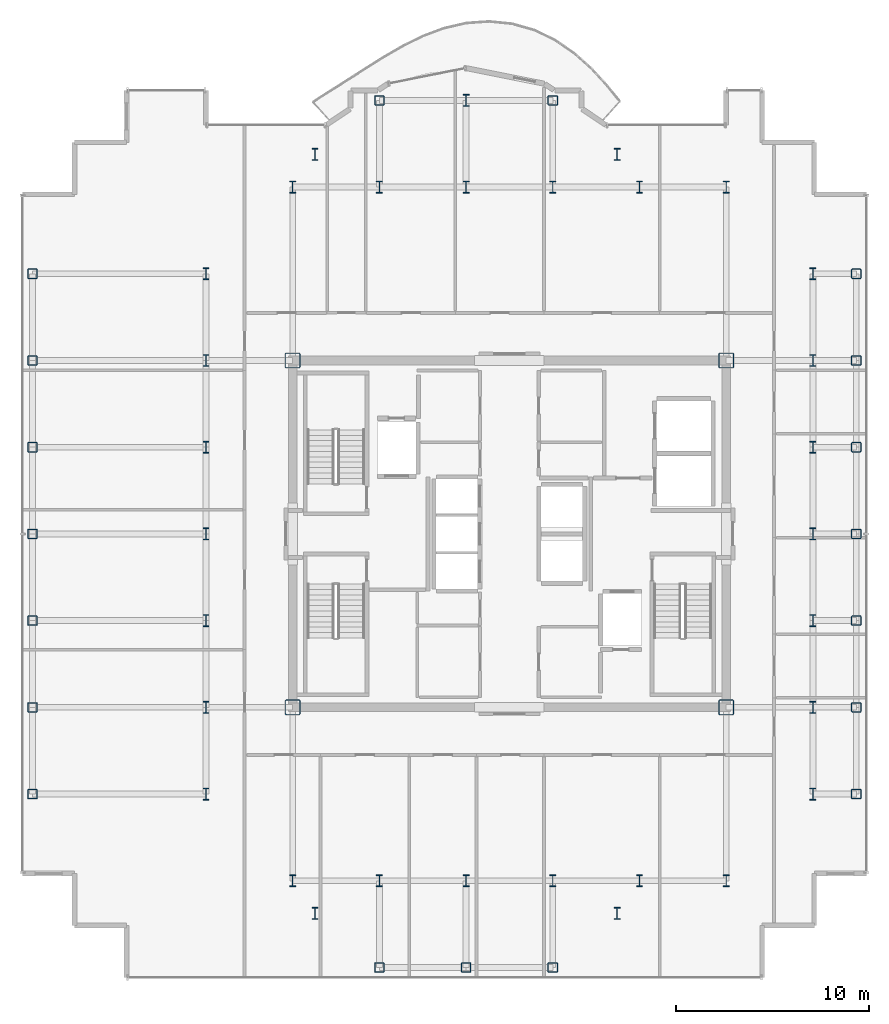
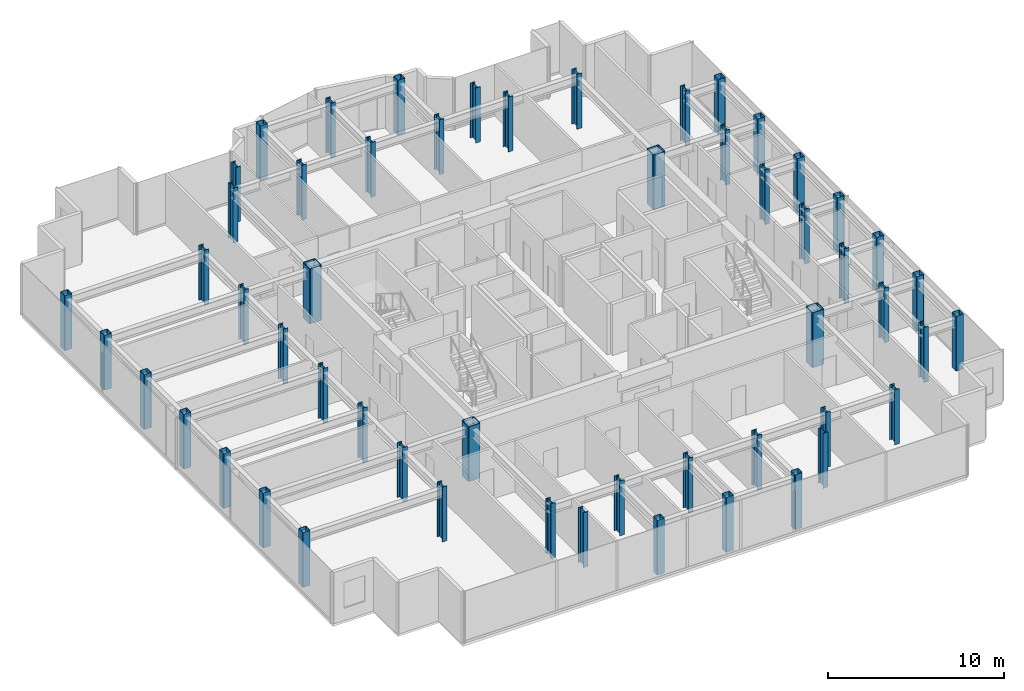
# One storey, part 1 of 18: 54 columns.
"""IFC4 building model written with IfcOpenShell, lengths in metres."""

import ifcopenshell
import ifcopenshell.guid

model = None  # the IFC model being written
_history = None  # IfcOwnerHistory: only IFC2X3 demands one
_inside = {}  # id of a spatial element -> (the spatial element, [elements in it])
_under = {}  # id of a project, library or spatial element -> (it, [spatial elements below it])
_declared = {}  # id of a project -> (the project, [libraries it declares])
_typed = {}  # id of a type object -> (the type object, [elements of that type])
_made_of = {}  # id of a material, layer set ... -> (it, [elements and type objects made of it])


def new_model(schema):
    """Start an empty IFC model of exactly this schema.

    Asked for "IFC4X3", IfcOpenShell would pick the latest addendum, in which some entities
    have other attributes; the version numbers below select the first issue.
    IFC2X3 requires an IfcOwnerHistory on every rooted entity: one is made here for all.
    """
    global model, _history
    if schema == "IFC4X3":
        model = ifcopenshell.file(schema_version=(4, 3, 0, 0))
    else:
        model = ifcopenshell.file(schema=schema)
    _inside.clear()
    _under.clear()
    _declared.clear()
    _typed.clear()
    _made_of.clear()
    _history = None
    if model.schema == "IFC2X3":
        org = make("IfcOrganization", Name="unknown")
        user = make(
            "IfcPersonAndOrganization",
            ThePerson=make("IfcPerson", FamilyName="unknown"),
            TheOrganization=org,
        )
        app = make(
            "IfcApplication",
            ApplicationDeveloper=org,
            Version="unknown",
            ApplicationFullName="unknown",
            ApplicationIdentifier="unknown",
        )
        _history = make(
            "IfcOwnerHistory",
            OwningUser=user,
            OwningApplication=app,
            ChangeAction="ADDED",
            CreationDate=0,
        )
    return model


def make(cls, **values):
    """One entity of the class cls with the attributes given. An attribute that is None is left unset."""
    return model.create_entity(
        cls, **{name: value for name, value in values.items() if value is not None}
    )


def rooted(cls, **values):
    """An entity with a GlobalId (a new one), such as an element, a storey or a relation."""
    return make(cls, GlobalId=ifcopenshell.guid.new(), OwnerHistory=_history, **values)


def si_unit(unit_type, name, prefix=None):
    """IfcSIUnit, for example si_unit("LENGTHUNIT", "METRE", prefix="MILLI")."""
    return make("IfcSIUnit", UnitType=unit_type, Prefix=prefix, Name=name)


def assignment(units):
    """IfcUnitAssignment: the units of a project."""
    return None if units is None else make("IfcUnitAssignment", Units=units)


def point(xyz):
    """IfcCartesianPoint."""
    return None if xyz is None else make("IfcCartesianPoint", Coordinates=xyz)


def direction(xyz):
    """IfcDirection."""
    return None if xyz is None else make("IfcDirection", DirectionRatios=xyz)


def frame(location, z_axis=None, x_axis=None):
    """IfcAxis2Placement3D, a coordinate frame: its origin and axes. An axis left out is left unset."""
    return make(
        "IfcAxis2Placement3D",
        Location=point(location),
        Axis=direction(z_axis),
        RefDirection=direction(x_axis),
    )


def frame_2d(location, x_axis=None):
    """IfcAxis2Placement2D, a coordinate frame in the plane: its origin and x axis."""
    return make(
        "IfcAxis2Placement2D", Location=point(location), RefDirection=direction(x_axis)
    )


def origin():
    """The frame at (0, 0, 0) with its axes left unset."""
    return frame((0.0, 0.0, 0.0))


def origin_2d():
    """The frame at (0, 0) in the plane with its x axis left unset."""
    return frame_2d((0.0, 0.0))


def place(relative_to, where):
    """IfcLocalPlacement: puts the frame where relative to a parent placement (None: the world)."""
    return make(
        "IfcLocalPlacement", PlacementRelTo=relative_to, RelativePlacement=where
    )


def context(
    kind, dimensions, precision=None, world=None, true_north=None, identifier=None
):
    """IfcGeometricRepresentationContext, for example the 3D "Model" context."""
    return make(
        "IfcGeometricRepresentationContext",
        ContextIdentifier=identifier,
        ContextType=kind,
        CoordinateSpaceDimension=dimensions,
        Precision=precision,
        WorldCoordinateSystem=world,
        TrueNorth=true_north,
    )


def subcontext(parent, identifier, kind, view, scale=None):
    """IfcGeometricRepresentationSubContext, for example "Body" below "Model"."""
    return make(
        "IfcGeometricRepresentationSubContext",
        ContextIdentifier=identifier,
        ContextType=kind,
        ParentContext=parent,
        TargetScale=scale,
        TargetView=view,
    )


def project(units=None, contexts=None):
    """IfcProject with its units and contexts."""
    return rooted(
        "IfcProject",
        Name="project",
        RepresentationContexts=contexts,
        UnitsInContext=assignment(units),
    )


def spatial(cls, under=None, at=None, **own):
    """A site, building, storey or space (cls), placed at a placement, below another one or the project."""
    s = rooted(cls, ObjectPlacement=at, **own)
    if under is not None:
        _under.setdefault(under.id(), (under, []))[1].append(s)
    return s


def profile(cls, at=None, kind="AREA", **sizes):
    """A parametric profile (cls). Its sizes go by their IFC names, for example OverallWidth=200.0."""
    return make(cls, ProfileType=kind, Position=at, **sizes)


def hollow_rectangle(**sizes):
    """IfcRectangleHollowProfileDef."""
    return profile("IfcRectangleHollowProfileDef", **sizes)


def i_section(**sizes):
    """IfcIShapeProfileDef."""
    return profile("IfcIShapeProfileDef", **sizes)


def extrude(swept, where, along, depth):
    """IfcExtrudedAreaSolid: the profile swept, set in the frame where, extruded along a direction by depth."""
    return make(
        "IfcExtrudedAreaSolid",
        SweptArea=swept,
        Position=where,
        ExtrudedDirection=direction(along),
        Depth=depth,
    )


def shape(context_of_items, identifier, shape_type, items):
    """IfcShapeRepresentation: the items that make up one representation, for example the "Body"."""
    return make(
        "IfcShapeRepresentation",
        ContextOfItems=context_of_items,
        RepresentationIdentifier=identifier,
        RepresentationType=shape_type,
        Items=items,
    )


def source(mapping_origin, context_of_items, identifier, shape_type, items):
    """IfcRepresentationMap: a shape defined once, which mapped items show again and again."""
    return make(
        "IfcRepresentationMap",
        MappingOrigin=mapping_origin,
        MappedRepresentation=shape(context_of_items, identifier, shape_type, items),
    )


def transform(
    local_origin,
    x_axis=None,
    y_axis=None,
    z_axis=None,
    scale=None,
    scale2=None,
    scale3=None,
    uniform=True,
):
    """IfcCartesianTransformationOperator3D, or its non-uniform kind. x_axis, y_axis, z_axis: its Axis1, 2, 3."""
    if uniform:
        return make(
            "IfcCartesianTransformationOperator3D",
            Axis1=direction(x_axis),
            Axis2=direction(y_axis),
            LocalOrigin=point(local_origin),
            Scale=scale,
            Axis3=direction(z_axis),
        )
    return make(
        "IfcCartesianTransformationOperator3DnonUniform",
        Axis1=direction(x_axis),
        Axis2=direction(y_axis),
        LocalOrigin=point(local_origin),
        Scale=scale,
        Axis3=direction(z_axis),
        Scale2=scale2,
        Scale3=scale3,
    )


def mapped(mapping_source, mapping_target):
    """IfcMappedItem: shows the shape of a source again, moved by a transform."""
    return make(
        "IfcMappedItem", MappingSource=mapping_source, MappingTarget=mapping_target
    )


def material(Name=None, Category=None):
    """IfcMaterial."""
    return make("IfcMaterial", Name=Name, Category=Category)


def material_profile(
    of_material, cross_section, Name=None, Category=None, Priority=None
):
    """IfcMaterialProfile: a cross section and its material."""
    return make(
        "IfcMaterialProfile",
        Name=Name,
        Material=of_material,
        Profile=cross_section,
        Priority=Priority,
        Category=Category,
    )


def profile_set(profiles, Name=None, composite=None):
    """IfcMaterialProfileSet."""
    return make(
        "IfcMaterialProfileSet",
        Name=Name,
        MaterialProfiles=profiles,
        CompositeProfile=composite,
    )


def made_of(thing, what):
    """Note that an element or type object is made of a material, layer set ...; save() writes the relation."""
    if what is not None:
        _made_of.setdefault(what.id(), (what, []))[1].append(thing)
    return thing


def type_object(cls, material=None, **own):
    """A type object (cls), such as IfcWallType, which elements share."""
    return made_of(rooted(cls, **own), material)


def element(
    cls,
    number,
    at=None,
    inside=None,
    cuts=None,
    type_object=None,
    material=None,
    context=None,
    identifier="Body",
    shape_type=None,
    held_by="IfcProductDefinitionShape",
    body=None,
    shapes=None,
    **own,
):
    """One element of the class cls, such as IfcWall. Its Tag is "e" and its number.

    at: its placement. inside: the storey or other place that contains it. cuts: it is an
    opening in that element (IfcRelVoidsElement). A single representation is given by context,
    identifier, shape_type and body (its items); several are given by shapes. held_by: the class
    of the entity that holds the representations. save() writes the other relations.
    """
    e = rooted(cls, Tag="e%d" % number, ObjectPlacement=at, **own)
    if body is not None:
        shapes = [shape(context, identifier, shape_type, body)]
    if shapes is not None:
        e.Representation = make(held_by, Representations=shapes)
    if inside is not None:
        _inside.setdefault(inside.id(), (inside, []))[1].append(e)
    if cuts is not None:
        rooted(
            "IfcRelVoidsElement", RelatingBuildingElement=cuts, RelatedOpeningElement=e
        )
    if type_object is not None:
        _typed.setdefault(type_object.id(), (type_object, []))[1].append(e)
    return made_of(e, material)


def aggregate(whole, parts):
    """IfcRelAggregates: a whole, such as a stair, and the parts it consists of."""
    return rooted("IfcRelAggregates", RelatingObject=whole, RelatedObjects=parts)


def save(model, path):
    """Write the relations noted so far, then the file.

    IfcRelAggregates (storeys below a building ...), IfcRelContainedInSpatialStructure (elements
    in a storey), IfcRelDefinesByType, IfcRelAssociatesMaterial and IfcRelDeclares: one each for
    every whole, place, type object, material and project.
    """
    for whole, parts in _under.values():
        aggregate(whole, parts)
    for where, things in _inside.values():
        rooted(
            "IfcRelContainedInSpatialStructure",
            RelatedElements=things,
            RelatingStructure=where,
        )
    for kind, things in _typed.values():
        rooted("IfcRelDefinesByType", RelatedObjects=things, RelatingType=kind)
    for what, things in _made_of.values():
        rooted("IfcRelAssociatesMaterial", RelatedObjects=things, RelatingMaterial=what)
    for by, libraries in _declared.values():
        rooted("IfcRelDeclares", RelatingContext=by, RelatedDefinitions=libraries)
    model.write(path)


model = new_model("IFC4")

# Units and contexts
model_context = context("Model", 3, precision=1e-05, world=origin(), true_north=direction((0.0, 1.0)))
body_context = subcontext(model_context, "Body", "Model", "MODEL_VIEW")
ifc_project = project(units=[si_unit("LENGTHUNIT", "METRE"), si_unit("AREAUNIT", "SQUARE_METRE"), si_unit("VOLUMEUNIT", "CUBIC_METRE"), si_unit("PLANEANGLEUNIT", "RADIAN"), si_unit("MASSUNIT", "GRAM", prefix="KILO")], contexts=[model_context])

# Site, building, storey
site_placement = place(None, origin())
site = spatial("IfcSite", under=ifc_project, at=site_placement, CompositionType="ELEMENT")
building_placement = place(site_placement, origin())
building = spatial("IfcBuilding", under=site, at=building_placement, Name="Nefas-Gora Pilgrimage Tower", CompositionType="ELEMENT")
storey_placement = place(building_placement, frame((0.0, 0.0, 295.0)))
storey = spatial("IfcBuildingStorey", under=building, at=storey_placement, Name="L74", CompositionType="ELEMENT", Elevation=295.0)

# Columns
ifc_material_1 = material(Name="Steel S460", Category="steel")
ifc_material_profile_1 = material_profile(ifc_material_1, hollow_rectangle(XDim=0.800048828125, YDim=0.800048828125, WallThickness=0.0400390625, InnerFilletRadius=0.0400390625, OuterFilletRadius=0.080078125, at=origin_2d()), Name="BOX 800x800x40")
ifc_profile_set_1 = profile_set([ifc_material_profile_1], Name="Steel S460")
column_type_1 = type_object("IfcColumnType", Name="COL-CORE-800", PredefinedType="COLUMN", material=ifc_profile_set_1)
shared_shape_1 = source(origin(), body_context, "Body", "SweptSolid", [
    extrude(hollow_rectangle(XDim=0.800048828125, YDim=0.800048828125, WallThickness=0.0400390625, InnerFilletRadius=0.0400390625, OuterFilletRadius=0.080078125, at=origin_2d()), origin(), (0.0, 0.0, 1.0), 3.800048828125),
])
for number, where, z_axis, x_axis, name in (
    (1, (-11.25, -9.0, 0.0), (0.0, 0.0, 1.0), (1.0, 0.0, 0.0), "L74 Tower Column CC-Z2.16"),
    (2, (-11.25, 9.0, 0.0), (0.0, 0.0, 1.0), (1.0, 0.0, 0.0), "L74 Tower Column CC-Z2.17"),
    (3, (11.25, -9.0, 0.0), (0.0, 0.0, 1.0), (1.0, 0.0, 0.0), "L74 Tower Column CC-Z2.38"),
    (4, (11.25, 9.0, 0.0), (0.0, 0.0, 1.0), (1.0, 0.0, 0.0), "L74 Tower Column CC-Z2.39"),
):
    element("IfcColumn", number, at=place(storey_placement, frame(where, z_axis=z_axis, x_axis=x_axis)), inside=storey, type_object=column_type_1, Name=name, PredefinedType="COLUMN", context=body_context, shape_type="MappedRepresentation", body=[
        mapped(shared_shape_1, transform((0.0, 0.0, 0.0), x_axis=(1.0, 0.0, 0.0), y_axis=(0.0, 1.0, 0.0), z_axis=(0.0, 0.0, 1.0), scale=1.0)),
    ])
ifc_material_2 = material(Name="Steel S355", Category="steel")
ifc_material_profile_2 = material_profile(ifc_material_2, i_section(OverallWidth=0.304931640625, OverallDepth=0.6201171875, WebThickness=0.02099609375, FlangeThickness=0.0400390625, FilletRadius=0.027099609375, at=origin_2d()), Name="HEM 600")
ifc_profile_set_2 = profile_set([ifc_material_profile_2], Name="Steel S355")
column_type_2 = type_object("IfcColumnType", Name="COL-WEB-HEM600", PredefinedType="COLUMN", material=ifc_profile_set_2)
shared_shape_2 = source(origin(), body_context, "Body", "SweptSolid", [
    extrude(i_section(OverallWidth=0.304931640625, OverallDepth=0.6201171875, WebThickness=0.02099609375, FlangeThickness=0.0400390625, FilletRadius=0.027099609375, at=origin_2d()), origin(), (0.0, 0.0, 1.0), 3.800048828125),
])
for number, where, z_axis, x_axis, name in (
    (5, (-15.75, -13.5, 0.0), (0.0, 0.0, 1.0), (1.0, 0.0, 0.0), "L74 Tower Column CW-03.8"),
    (6, (-15.75, -9.0, 0.0), (0.0, 0.0, 1.0), (1.0, 0.0, 0.0), "L74 Tower Column CW-03.9"),
    (7, (-15.75, -4.5, 0.0), (0.0, 0.0, 1.0), (1.0, 0.0, 0.0), "L74 Tower Column CW-03.10"),
    (8, (-15.75, 0.0, 0.0), (0.0, 0.0, 1.0), (1.0, 0.0, 0.0), "L74 Tower Column CW-03.11"),
    (9, (-15.75, 4.5, 0.0), (0.0, 0.0, 1.0), (1.0, 0.0, 0.0), "L74 Tower Column CW-03.12"),
    (10, (-15.75, 9.0, 0.0), (0.0, 0.0, 1.0), (1.0, 0.0, 0.0), "L74 Tower Column CW-03.13"),
    (11, (-15.75, 13.5, 0.0), (0.0, 0.0, 1.0), (1.0, 0.0, 0.0), "L74 Tower Column CW-03.14"),
    (12, (-11.25, -18.0, 0.0), (0.0, 0.0, 1.0), (1.0, 0.0, 0.0), "L74 Tower Column CW-03.15"),
    (13, (-11.25, 18.0, 0.0), (0.0, 0.0, 1.0), (1.0, 0.0, 0.0), "L74 Tower Column CW-03.18"),
    (14, (-10.091064453125, -19.696044921875, 0.0), (0.0, 0.0, 1.0), (1.0, 0.0, 0.0), "L74 Tower Column CW-03.19"),
    (15, (-10.091064453125, 19.696044921875, 0.0), (0.0, 0.0, 1.0), (1.0, 0.0, 0.0), "L74 Tower Column CW-03.20"),
    (16, (-6.75, -18.0, 0.0), (0.0, 0.0, 1.0), (1.0, 0.0, 0.0), "L74 Tower Column CW-03.22"),
    (17, (-6.75, 18.0, 0.0), (0.0, 0.0, 1.0), (1.0, 0.0, 0.0), "L74 Tower Column CW-03.23"),
    (18, (-2.25, -18.0, 0.0), (0.0, 0.0, 1.0), (1.0, 0.0, 0.0), "L74 Tower Column CW-03.26"),
    (19, (-2.25, 18.0, 0.0), (0.0, 0.0, 1.0), (1.0, 0.0, 0.0), "L74 Tower Column CW-03.27"),
    (20, (-2.25, 22.5, 0.0), (0.0, 0.0, 1.0), (1.0, 0.0, 0.0), "L74 Tower Column CW-03.28"),
    (21, (2.25, -18.0, 0.0), (0.0, 0.0, 1.0), (1.0, 0.0, 0.0), "L74 Tower Column CW-03.30"),
    (22, (2.25, 18.0, 0.0), (0.0, 0.0, 1.0), (1.0, 0.0, 0.0), "L74 Tower Column CW-03.31"),
    (23, (5.591064453125, -19.696044921875, 0.0), (0.0, 0.0, 1.0), (1.0, 0.0, 0.0), "L74 Tower Column CW-03.33"),
    (24, (5.591064453125, 19.696044921875, 0.0), (0.0, 0.0, 1.0), (1.0, 0.0, 0.0), "L74 Tower Column CW-03.34"),
    (25, (6.75, -18.0, 0.0), (0.0, 0.0, 1.0), (1.0, 0.0, 0.0), "L74 Tower Column CW-03.35"),
    (26, (6.75, 18.0, 0.0), (0.0, 0.0, 1.0), (1.0, 0.0, 0.0), "L74 Tower Column CW-03.36"),
    (27, (11.25, -18.0, 0.0), (0.0, 0.0, 1.0), (1.0, 0.0, 0.0), "L74 Tower Column CW-03.37"),
    (28, (11.25, 18.0, 0.0), (0.0, 0.0, 1.0), (1.0, 0.0, 0.0), "L74 Tower Column CW-03.40"),
    (29, (15.75, -13.5, 0.0), (0.0, 0.0, 1.0), (1.0, 0.0, 0.0), "L74 Tower Column CW-03.41"),
    (30, (15.75, -9.0, 0.0), (0.0, 0.0, 1.0), (1.0, 0.0, 0.0), "L74 Tower Column CW-03.42"),
    (31, (15.75, -4.5, 0.0), (0.0, 0.0, 1.0), (1.0, 0.0, 0.0), "L74 Tower Column CW-03.43"),
    (32, (15.75, 0.0, 0.0), (0.0, 0.0, 1.0), (1.0, 0.0, 0.0), "L74 Tower Column CW-03.44"),
    (33, (15.75, 4.5, 0.0), (0.0, 0.0, 1.0), (1.0, 0.0, 0.0), "L74 Tower Column CW-03.45"),
    (34, (15.75, 9.0, 0.0), (0.0, 0.0, 1.0), (1.0, 0.0, 0.0), "L74 Tower Column CW-03.46"),
    (35, (15.75, 13.5, 0.0), (0.0, 0.0, 1.0), (1.0, 0.0, 0.0), "L74 Tower Column CW-03.47"),
):
    element("IfcColumn", number, at=place(storey_placement, frame(where, z_axis=z_axis, x_axis=x_axis)), inside=storey, type_object=column_type_2, Name=name, PredefinedType="COLUMN", context=body_context, shape_type="MappedRepresentation", body=[
        mapped(shared_shape_2, transform((0.0, 0.0, 0.0), x_axis=(1.0, 0.0, 0.0), y_axis=(0.0, 1.0, 0.0), z_axis=(0.0, 0.0, 1.0), scale=1.0)),
    ])
ifc_material_profile_3 = material_profile(ifc_material_2, hollow_rectangle(XDim=0.5, YDim=0.5, WallThickness=0.02490234375, InnerFilletRadius=0.02490234375, OuterFilletRadius=0.050048828125, at=origin_2d()), Name="SHS 500x500x25")
ifc_profile_set_3 = profile_set([ifc_material_profile_3], Name="Steel S355")
column_type_3 = type_object("IfcColumnType", Name="COL-TUBE-500", PredefinedType="COLUMN", material=ifc_profile_set_3)
shared_shape_3 = source(origin(), body_context, "Body", "SweptSolid", [
    extrude(hollow_rectangle(XDim=0.5, YDim=0.5, WallThickness=0.02490234375, InnerFilletRadius=0.02490234375, OuterFilletRadius=0.050048828125, at=origin_2d()), origin(), (0.0, 0.0, 1.0), 3.800048828125),
])
for number, where, z_axis, x_axis, name in (
    (36, (-24.75, -13.5, 0.0), (0.0, 0.0, 1.0), (1.0, 0.0, 0.0), "L74 Tower Column C-Z4.1"),
    (37, (-24.75, -9.0, 0.0), (0.0, 0.0, 1.0), (1.0, 0.0, 0.0), "L74 Tower Column C-Z4.2"),
    (38, (-24.75, -4.5, 0.0), (0.0, 0.0, 1.0), (1.0, 0.0, 0.0), "L74 Tower Column C-Z4.3"),
    (39, (-24.75, 0.0, 0.0), (0.0, 0.0, 1.0), (1.0, 0.0, 0.0), "L74 Tower Column C-Z4.4"),
    (40, (-24.75, 4.5, 0.0), (0.0, 0.0, 1.0), (1.0, 0.0, 0.0), "L74 Tower Column C-Z4.5"),
    (41, (-24.75, 9.0, 0.0), (0.0, 0.0, 1.0), (1.0, 0.0, 0.0), "L74 Tower Column C-Z4.6"),
    (42, (-24.75, 13.5, 0.0), (0.0, 0.0, 1.0), (1.0, 0.0, 0.0), "L74 Tower Column C-Z4.7"),
    (43, (-6.75, -22.5, 0.0), (0.0, 0.0, 1.0), (1.0, 0.0, 0.0), "L74 Tower Column C-Z4.21"),
    (44, (-6.75, 22.5, 0.0), (0.0, 0.0, 1.0), (1.0, 0.0, 0.0), "L74 Tower Column C-Z4.24"),
    (45, (-2.25, -22.5, 0.0), (0.0, 0.0, 1.0), (1.0, 0.0, 0.0), "L74 Tower Column C-Z4.25"),
    (46, (2.25, -22.5, 0.0), (0.0, 0.0, 1.0), (1.0, 0.0, 0.0), "L74 Tower Column C-Z4.29"),
    (47, (2.25, 22.5, 0.0), (0.0, 0.0, 1.0), (1.0, 0.0, 0.0), "L74 Tower Column C-Z4.32"),
    (48, (18.0, -13.5, 0.0), (0.0, 0.0, 1.0), (1.0, 0.0, 0.0), "L74 Tower Column C-Z4.48"),
    (49, (18.0, -9.0, 0.0), (0.0, 0.0, 1.0), (1.0, 0.0, 0.0), "L74 Tower Column C-Z4.49"),
    (50, (18.0, -4.5, 0.0), (0.0, 0.0, 1.0), (1.0, 0.0, 0.0), "L74 Tower Column C-Z4.50"),
    (51, (18.0, 0.0, 0.0), (0.0, 0.0, 1.0), (1.0, 0.0, 0.0), "L74 Tower Column C-Z4.51"),
    (52, (18.0, 4.5, 0.0), (0.0, 0.0, 1.0), (1.0, 0.0, 0.0), "L74 Tower Column C-Z4.52"),
    (53, (18.0, 9.0, 0.0), (0.0, 0.0, 1.0), (1.0, 0.0, 0.0), "L74 Tower Column C-Z4.53"),
    (54, (18.0, 13.5, 0.0), (0.0, 0.0, 1.0), (1.0, 0.0, 0.0), "L74 Tower Column C-Z4.54"),
):
    element("IfcColumn", number, at=place(storey_placement, frame(where, z_axis=z_axis, x_axis=x_axis)), inside=storey, type_object=column_type_3, Name=name, PredefinedType="COLUMN", context=body_context, shape_type="MappedRepresentation", body=[
        mapped(shared_shape_3, transform((0.0, 0.0, 0.0), x_axis=(1.0, 0.0, 0.0), y_axis=(0.0, 1.0, 0.0), z_axis=(0.0, 0.0, 1.0), scale=1.0)),
    ])

save(model, "model.ifc")
